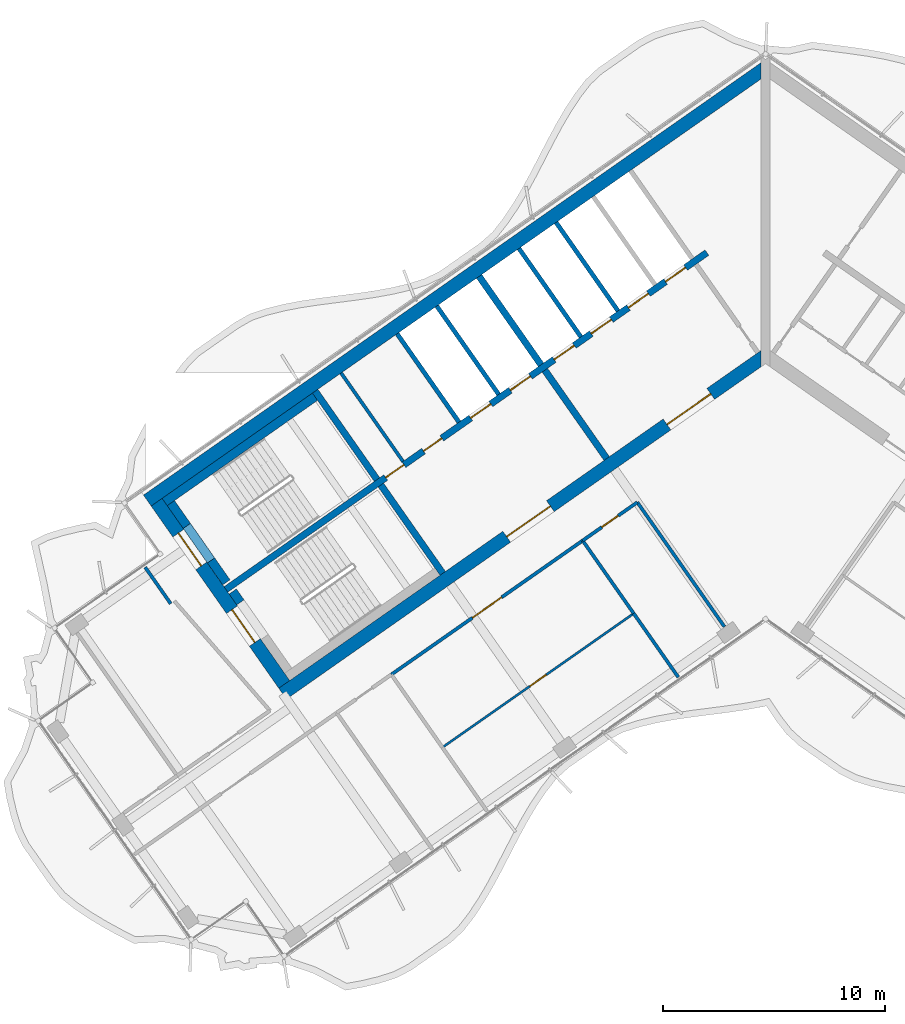
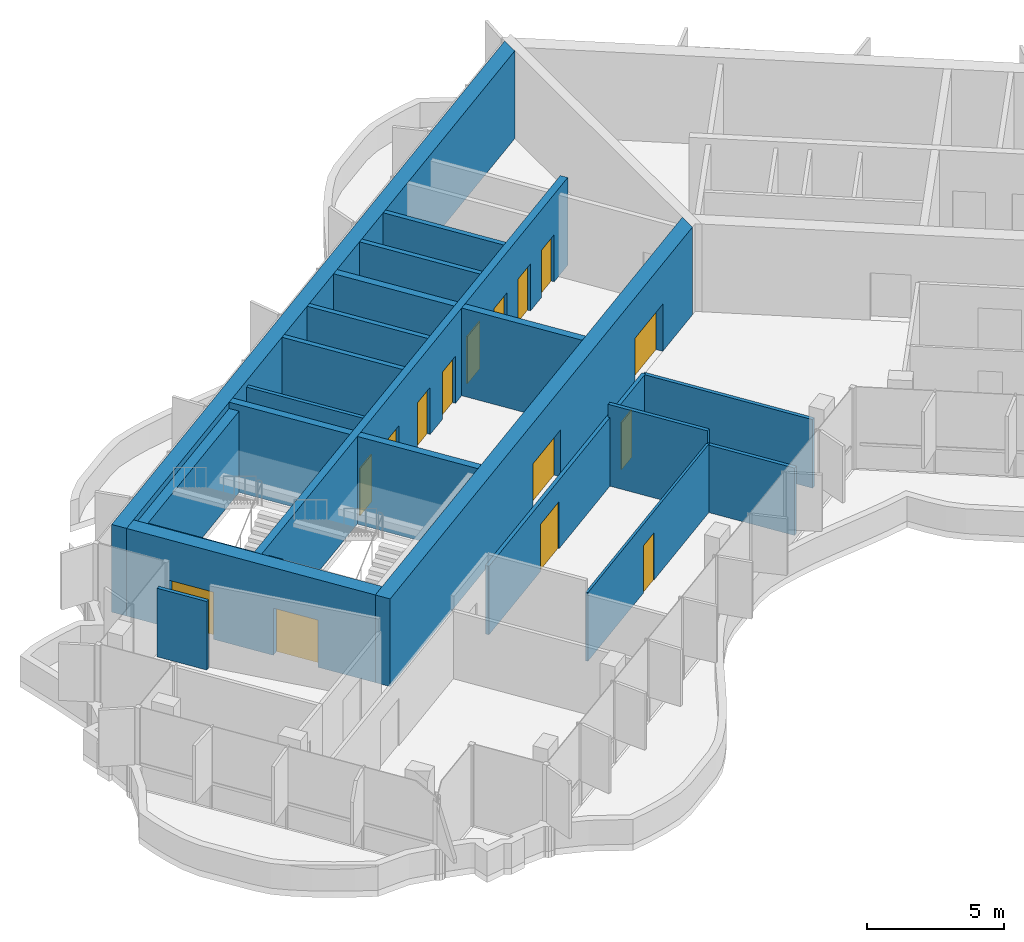
# One storey, part 11 of 20: 25 walls, 15 doors, 15 openings.
"""IFC4 building model written with IfcOpenShell, lengths in metres."""

from ifc_helpers import new_model, si_unit, direction, frame, frame_2d, origin, place, context, subcontext, project, spatial, polyline, rectangle, outline, extrude, material, layer, layer_set, type_object, element, fill, save


model = new_model("IFC4")

# Units and contexts
model_context = context("Model", 3, precision=1e-05, world=origin(), true_north=direction((0.0, 1.0)))
body_context = subcontext(model_context, "Body", "Model", "MODEL_VIEW")
ifc_project = project(units=[si_unit("LENGTHUNIT", "METRE"), si_unit("AREAUNIT", "SQUARE_METRE"), si_unit("VOLUMEUNIT", "CUBIC_METRE"), si_unit("PLANEANGLEUNIT", "RADIAN"), si_unit("MASSUNIT", "GRAM", prefix="KILO")], contexts=[model_context])

# Site, building, storey
site_placement = place(None, origin())
site = spatial("IfcSite", under=ifc_project, at=site_placement, CompositionType="ELEMENT")
building_placement = place(site_placement, origin())
building = spatial("IfcBuilding", under=site, at=building_placement, Name="Tel Ilan Convention Tower", CompositionType="ELEMENT")
storey_placement = place(building_placement, frame((0.0, 0.0, 244.89990234375)))
storey = spatial("IfcBuildingStorey", under=building, at=storey_placement, Name="L57", CompositionType="ELEMENT", Elevation=244.89990234375)

# Walls
ifc_material_1 = material(Name="Gypsum Plasterboard on Steel Stud", Category="steel")
ifc_layer_1 = layer(ifc_material_1, 0.14990234375)
ifc_layer_set_1 = layer_set([ifc_layer_1], Name="Core Room Partition Wall 150 mm EI 60")
wall_type_1 = type_object("IfcWallType", Name="Core Room Partition Wall 150 mm EI 60", PredefinedType="PARTITIONING", material=ifc_layer_set_1)
wall_1_placement = place(storey_placement, frame((-16.302001953125, -5.6162109375, 0.0), z_axis=(0.0, 0.0, 1.0), x_axis=(-0.573560315113, 0.819163332265, 0.0)))
element("IfcWall", 1, at=wall_1_placement, inside=storey, type_object=wall_type_1, Name="L57 core wall bank-W2-split", PredefinedType="PARTITIONING", context=body_context, shape_type="SweptSolid", body=[
    extrude(rectangle(XDim=4.849853515625, YDim=0.14990234375, at=frame_2d((2.4248046875, 0.0))), origin(), (0.0, 0.0, 1.0), 3.6201171875),
])
ifc_material_2 = material(Name="Concrete C40/50", Category="concrete")
ifc_layer_2 = layer(ifc_material_2, 0.300048828125)
ifc_layer_set_2 = layer_set([ifc_layer_2], Name="Core Shear Wall 300 mm C40/50")
wall_type_2 = type_object("IfcWallType", Name="Core Shear Wall 300 mm C40/50", PredefinedType="SHEAR", material=ifc_layer_set_2)
wall_2_placement = place(storey_placement, frame((-7.142822265625, -5.48974609375, 0.0), z_axis=(0.0, 0.0, 1.0), x_axis=(-0.573617744349, 0.819123118565, 0.0)))
element("IfcWall", 2, at=wall_2_placement, inside=storey, type_object=wall_type_2, Name="L57 core wall W-cross1-1", PredefinedType="SHEAR", context=body_context, shape_type="SweptSolid", body=[
    extrude(outline(polyline([(4.85009765625, 0.14990234375), (0.0, 0.150146484375), (0.0, -0.14990234375), (4.85009765625, -0.150146484375), (4.85009765625, 0.14990234375)])), origin(), (0.0, 0.0, 1.0), 3.900146484375),
])
wall_3_placement = place(storey_placement, frame((-10.096923828125, -1.271240234375, 0.0), z_axis=(0.0, 0.0, 1.0), x_axis=(-0.573560315113, 0.819163332265, 0.0)))
element("IfcWall", 3, at=wall_3_placement, inside=storey, type_object=wall_type_2, Name="L57 core wall W-cross1-2", PredefinedType="SHEAR", context=body_context, shape_type="SweptSolid", body=[
    extrude(outline(polyline([(4.849853515625, -0.14990234375), (4.849853515625, 0.150146484375), (0.0, 0.14990234375), (0.0, -0.150146484375), (4.849853515625, -0.14990234375)])), origin(), (0.0, 0.0, 1.0), 3.900146484375),
])
wall_4_placement = place(storey_placement, frame((-14.515380859375, -10.652099609375, 0.0), z_axis=(0.0, 0.0, 1.0), x_axis=(-0.573560315113, 0.819163332265, 0.0)))
element("IfcWall", 4, at=wall_4_placement, inside=storey, type_object=wall_type_2, Name="L57 core wall W-cross2-1", PredefinedType="SHEAR", context=body_context, shape_type="SweptSolid", body=[
    extrude(outline(polyline([(4.85009765625, 0.14990234375), (0.0, 0.14990234375), (0.0, -0.150146484375), (4.85009765625, -0.14990234375), (4.85009765625, 0.14990234375)])), origin(), (0.0, 0.0, 1.0), 3.900146484375),
])
wall_5_placement = place(storey_placement, frame((-17.46923828125, -6.433349609375, 0.0), z_axis=(0.0, 0.0, 1.0), x_axis=(-0.573594092424, 0.81913968109, 0.0)))
element("IfcWall", 5, at=wall_5_placement, inside=storey, type_object=wall_type_2, Name="L57 core wall W-cross2-2", PredefinedType="SHEAR", context=body_context, shape_type="SweptSolid", body=[
    extrude(outline(polyline([(4.849853515625, -0.150146484375), (4.849853515625, 0.14990234375), (0.0, 0.14990234375), (0.0, -0.14990234375), (4.849853515625, -0.150146484375)])), origin(), (0.0, 0.0, 1.0), 3.900146484375),
])

# Wall, openings, doors
wall_6_placement = place(storey_placement, frame((-2.638427734375, 3.76806640625, 0.0), z_axis=(0.0, 0.0, 1.0), x_axis=(-0.819155014212, -0.573572194837, 0.0)))
wall_6 = element("IfcWall", 6, at=wall_6_placement, inside=storey, type_object=wall_type_2, Name="L57 core wall W-spine", PredefinedType="SHEAR", context=body_context, shape_type="SweptSolid", body=[
    extrude(outline(polyline([(26.39990234375, 0.150146484375), (0.0, 0.14990234375), (0.0, -0.150146484375), (26.39990234375, -0.14990234375), (26.39990234375, 0.150146484375)])), origin(), (0.0, 0.0, 1.0), 3.900146484375),
])
opening_1_placement = place(wall_6_placement, frame((1.168701171875, 0.0, 0.0)))
opening_1 = element("IfcOpeningElement", 7, at=opening_1_placement, cuts=wall_6, Name="Opening LD4404", PredefinedType="OPENING", context=body_context, shape_type="SweptSolid", body=[
    extrude(rectangle(XDim=1.10009765625, YDim=2.10009765625, at=frame_2d((0.550048828125, 1.050048828125))), frame((0.0, 0.159912109375, 0.0), z_axis=(0.0, -1.0, 0.0), x_axis=(1.0, 0.0, 0.0)), (0.0, 0.0, 1.0), 0.320068359375),
])
opening_2_placement = place(wall_6_placement, frame((3.206298828125, 0.0, 0.0)))
opening_2 = element("IfcOpeningElement", 8, at=opening_2_placement, cuts=wall_6, Name="Opening LD4405", PredefinedType="OPENING", context=body_context, shape_type="SweptSolid", body=[
    extrude(rectangle(XDim=1.10009765625, YDim=2.10009765625, at=frame_2d((0.550048828125, 1.050048828125))), frame((0.0, 0.159912109375, 0.0), z_axis=(0.0, -1.0, 0.0), x_axis=(1.0, 0.0, 0.0)), (0.0, 0.0, 1.0), 0.320068359375),
])
opening_3_placement = place(wall_6_placement, frame((5.24365234375, 0.0, 0.0)))
opening_3 = element("IfcOpeningElement", 9, at=opening_3_placement, cuts=wall_6, Name="Opening LD4406", PredefinedType="OPENING", context=body_context, shape_type="SweptSolid", body=[
    extrude(rectangle(XDim=1.10009765625, YDim=2.10009765625, at=frame_2d((0.550048828125, 1.050048828125))), frame((0.0, 0.159912109375, 0.0), z_axis=(0.0, -1.0, 0.0), x_axis=(1.0, 0.0, 0.0)), (0.0, 0.0, 1.0), 0.320068359375),
])
opening_4_placement = place(wall_6_placement, frame((7.28125, 0.0, 0.0)))
opening_4 = element("IfcOpeningElement", 10, at=opening_4_placement, cuts=wall_6, Name="Opening LD4407", PredefinedType="OPENING", context=body_context, shape_type="SweptSolid", body=[
    extrude(rectangle(XDim=1.10009765625, YDim=2.10009765625, at=frame_2d((0.550048828125, 1.050048828125))), frame((0.0, 0.159912109375, 0.0), z_axis=(0.0, -1.0, 0.0), x_axis=(1.0, 0.0, 0.0)), (0.0, 0.0, 1.0), 0.320068359375),
])
opening_5_placement = place(wall_6_placement, frame((9.6875, 0.0, 0.0)))
opening_5 = element("IfcOpeningElement", 11, at=opening_5_placement, cuts=wall_6, Name="Opening LD4408", PredefinedType="OPENING", context=body_context, shape_type="SweptSolid", body=[
    extrude(rectangle(XDim=1.10009765625, YDim=2.10009765625, at=frame_2d((0.550048828125, 1.050048828125))), frame((0.0, 0.159912109375, 0.0), z_axis=(0.0, -1.0, 0.0), x_axis=(1.0, 0.0, 0.0)), (0.0, 0.0, 1.0), 0.320068359375),
])
opening_6_placement = place(wall_6_placement, frame((11.862548828125, 0.0, 0.0)))
opening_6 = element("IfcOpeningElement", 12, at=opening_6_placement, cuts=wall_6, Name="Opening LD4409", PredefinedType="OPENING", context=body_context, shape_type="SweptSolid", body=[
    extrude(rectangle(XDim=1.10009765625, YDim=2.10009765625, at=frame_2d((0.550048828125, 1.050048828125))), frame((0.0, 0.159912109375, 0.0), z_axis=(0.0, -1.0, 0.0), x_axis=(1.0, 0.0, 0.0)), (0.0, 0.0, 1.0), 0.320068359375),
])
opening_7_placement = place(wall_6_placement, frame((14.552490234375, 0.0, 0.0)))
opening_7 = element("IfcOpeningElement", 13, at=opening_7_placement, cuts=wall_6, Name="Opening CD4409", PredefinedType="OPENING", context=body_context, shape_type="SweptSolid", body=[
    extrude(rectangle(XDim=1.0, YDim=2.10009765625, at=frame_2d((0.5, 1.050048828125))), frame((0.0, 0.159912109375, 0.0), z_axis=(0.0, -1.0, 0.0), x_axis=(1.0, 0.0, 0.0)), (0.0, 0.0, 1.0), 0.320068359375),
])
opening_8_placement = place(wall_6_placement, frame((16.62744140625, 0.0, 0.0)))
opening_8 = element("IfcOpeningElement", 14, at=opening_8_placement, cuts=wall_6, Name="Opening CD4410", PredefinedType="OPENING", context=body_context, shape_type="SweptSolid", body=[
    extrude(rectangle(XDim=1.0, YDim=2.10009765625, at=frame_2d((0.5, 1.050048828125))), frame((0.0, 0.159912109375, 0.0), z_axis=(0.0, -1.0, 0.0), x_axis=(1.0, 0.0, 0.0)), (0.0, 0.0, 1.0), 0.320068359375),
])
ifc_material_3 = material(Name="Stainless Steel Sliding Door Leaf", Category="steel")
door_type_1 = type_object("IfcDoorType", Name="Lift Landing Door 1100 x 2100 FD120", OperationType="NOTDEFINED", PredefinedType="DOOR", material=ifc_material_3)
door_1_placement = place(opening_1_placement, origin())
door_1 = element("IfcDoor", 15, at=door_1_placement, inside=storey, type_object=door_type_1, Name="Lift HR1 landing door", OperationType="SLIDING_TO_LEFT", OverallHeight=2.10009765625, OverallWidth=1.10009765625, PredefinedType="DOOR", context=body_context, shape_type="SweptSolid", body=[
    extrude(rectangle(XDim=1.10009765625, YDim=2.10009765625, at=frame_2d((0.550048828125, 1.050048828125))), frame((0.0, 0.02490234375, 0.0), z_axis=(0.0, -1.0, 0.0), x_axis=(1.0, 0.0, 0.0)), (0.0, 0.0, 1.0), 0.050048828125),
])
fill(opening_1, door_1)
door_2_placement = place(opening_2_placement, origin())
door_2 = element("IfcDoor", 16, at=door_2_placement, inside=storey, type_object=door_type_1, Name="Lift HR2 landing door", OperationType="SLIDING_TO_RIGHT", OverallHeight=2.10009765625, OverallWidth=1.10009765625, PredefinedType="DOOR", context=body_context, shape_type="SweptSolid", body=[
    extrude(rectangle(XDim=1.10009765625, YDim=2.10009765625, at=frame_2d((0.550048828125, 1.050048828125))), frame((0.0, 0.02490234375, 0.0), z_axis=(0.0, -1.0, 0.0), x_axis=(1.0, 0.0, 0.0)), (0.0, 0.0, 1.0), 0.050048828125),
])
fill(opening_2, door_2)
door_3_placement = place(opening_3_placement, origin())
door_3 = element("IfcDoor", 17, at=door_3_placement, inside=storey, type_object=door_type_1, Name="Lift HR3 landing door", OperationType="SLIDING_TO_LEFT", OverallHeight=2.10009765625, OverallWidth=1.10009765625, PredefinedType="DOOR", context=body_context, shape_type="SweptSolid", body=[
    extrude(rectangle(XDim=1.10009765625, YDim=2.10009765625, at=frame_2d((0.550048828125, 1.050048828125))), frame((0.0, 0.02490234375, 0.0), z_axis=(0.0, -1.0, 0.0), x_axis=(1.0, 0.0, 0.0)), (0.0, 0.0, 1.0), 0.050048828125),
])
fill(opening_3, door_3)
door_4_placement = place(opening_4_placement, origin())
door_4 = element("IfcDoor", 18, at=door_4_placement, inside=storey, type_object=door_type_1, Name="Lift HR4 landing door", OperationType="SLIDING_TO_RIGHT", OverallHeight=2.10009765625, OverallWidth=1.10009765625, PredefinedType="DOOR", context=body_context, shape_type="SweptSolid", body=[
    extrude(rectangle(XDim=1.10009765625, YDim=2.10009765625, at=frame_2d((0.550048828125, 1.050048828125))), frame((0.0, 0.02490234375, 0.0), z_axis=(0.0, -1.0, 0.0), x_axis=(1.0, 0.0, 0.0)), (0.0, 0.0, 1.0), 0.050048828125),
])
fill(opening_4, door_4)
door_5_placement = place(opening_5_placement, origin())
door_5 = element("IfcDoor", 19, at=door_5_placement, inside=storey, type_object=door_type_1, Name="Lift HR5 landing door", OperationType="SLIDING_TO_LEFT", OverallHeight=2.10009765625, OverallWidth=1.10009765625, PredefinedType="DOOR", context=body_context, shape_type="SweptSolid", body=[
    extrude(rectangle(XDim=1.10009765625, YDim=2.10009765625, at=frame_2d((0.550048828125, 1.050048828125))), frame((0.0, 0.02490234375, 0.0), z_axis=(0.0, -1.0, 0.0), x_axis=(1.0, 0.0, 0.0)), (0.0, 0.0, 1.0), 0.050048828125),
])
fill(opening_5, door_5)
door_6_placement = place(opening_6_placement, origin())
door_6 = element("IfcDoor", 20, at=door_6_placement, inside=storey, type_object=door_type_1, Name="Lift HR6 landing door", OperationType="SLIDING_TO_RIGHT", OverallHeight=2.10009765625, OverallWidth=1.10009765625, PredefinedType="DOOR", context=body_context, shape_type="SweptSolid", body=[
    extrude(rectangle(XDim=1.10009765625, YDim=2.10009765625, at=frame_2d((0.550048828125, 1.050048828125))), frame((0.0, 0.02490234375, 0.0), z_axis=(0.0, -1.0, 0.0), x_axis=(1.0, 0.0, 0.0)), (0.0, 0.0, 1.0), 0.050048828125),
])
fill(opening_6, door_6)
ifc_material_4 = material(Name="Galvanised Steel Door Leaf", Category="steel")
door_type_2 = type_object("IfcDoorType", Name="Service Room Door 1000 x 2100 FD60", OperationType="NOTDEFINED", PredefinedType="DOOR", material=ifc_material_4)
door_7_placement = place(opening_7_placement, origin())
door_7 = element("IfcDoor", 21, at=door_7_placement, inside=storey, type_object=door_type_2, Name="Plant Room door", OperationType="SINGLE_SWING_RIGHT", OverallHeight=2.10009765625, OverallWidth=1.0, PredefinedType="DOOR", context=body_context, shape_type="SweptSolid", body=[
    extrude(rectangle(XDim=1.0, YDim=2.10009765625, at=frame_2d((0.5, 1.050048828125))), frame((0.0, 0.02490234375, 0.0), z_axis=(0.0, -1.0, 0.0), x_axis=(1.0, 0.0, 0.0)), (0.0, 0.0, 1.0), 0.050048828125),
])
fill(opening_7, door_7)
door_8_placement = place(opening_8_placement, origin())
door_8 = element("IfcDoor", 22, at=door_8_placement, inside=storey, type_object=door_type_2, Name="Plant Room door", OperationType="SINGLE_SWING_RIGHT", OverallHeight=2.10009765625, OverallWidth=1.0, PredefinedType="DOOR", context=body_context, shape_type="SweptSolid", body=[
    extrude(rectangle(XDim=1.0, YDim=2.10009765625, at=frame_2d((0.5, 1.050048828125))), frame((0.0, 0.02490234375, 0.0), z_axis=(0.0, -1.0, 0.0), x_axis=(1.0, 0.0, 0.0)), (0.0, 0.0, 1.0), 0.050048828125),
])
fill(opening_8, door_8)

# Wall
ifc_material_5 = material(Name="Concrete C40/50", Category="concrete")
ifc_layer_3 = layer(ifc_material_5, 0.60009765625)
ifc_layer_set_3 = layer_set([ifc_layer_3], Name="Core Shear Wall 600 mm C40/50")
wall_type_3 = type_object("IfcWallType", Name="Core Shear Wall 600 mm C40/50", PredefinedType="SHEAR", material=ifc_layer_set_3)
wall_7_placement = place(storey_placement, frame((-0.02783203125, 12.066162109375, 0.0), z_axis=(0.0, 0.0, 1.0), x_axis=(-0.819151382952, -0.573577380837, 0.0)))
element("IfcWall", 23, at=wall_7_placement, inside=storey, type_object=wall_type_3, Name="L57 core wall W-back", PredefinedType="SHEAR", context=body_context, shape_type="SweptSolid", body=[
    extrude(outline(polyline([(33.89794921875, 0.300048828125), (0.420166015625, 0.300048828125), (0.0, -0.300048828125), (33.898193359375, -0.300048828125), (33.89794921875, 0.300048828125)])), origin(), (0.0, 0.0, 1.0), 3.900146484375),
])

# Wall, openings, doors
wall_8_placement = place(storey_placement, frame((-0.02783203125, -0.8740234375, 0.0), z_axis=(0.0, 0.0, 1.0), x_axis=(-0.819150035022, -0.573579305871, 0.0)))
wall_8 = element("IfcWall", 24, at=wall_8_placement, inside=storey, type_object=wall_type_3, Name="L57 core wall W-front", PredefinedType="SHEAR", context=body_context, shape_type="SweptSolid", body=[
    extrude(outline(polyline([(26.475830078125, 0.2998046875), (0.420166015625, 0.300048828125), (0.000244140625, -0.300048828125), (26.475830078125, -0.300048828125), (26.475830078125, 0.2998046875)])), origin(), (0.0, 0.0, 1.0), 3.900146484375),
])
opening_9_placement = place(wall_8_placement, frame((2.975830078125, 0.0, 0.0)))
opening_9 = element("IfcOpeningElement", 25, at=opening_9_placement, cuts=wall_8, Name="Opening CD4406", PredefinedType="OPENING", context=body_context, shape_type="SweptSolid", body=[
    extrude(rectangle(XDim=2.39990234375, YDim=2.10009765625, at=frame_2d((1.199951171875, 1.050048828125))), frame((0.0, 0.31005859375, 0.0), z_axis=(0.0, -1.0, 0.0), x_axis=(1.0, 0.0, 0.0)), (0.0, 0.0, 1.0), 0.6201171875),
])
opening_10_placement = place(wall_8_placement, frame((11.77587890625, 0.0, 0.0)))
opening_10 = element("IfcOpeningElement", 26, at=opening_10_placement, cuts=wall_8, Name="Opening CD4407", PredefinedType="OPENING", context=body_context, shape_type="SweptSolid", body=[
    extrude(rectangle(XDim=2.39990234375, YDim=2.10009765625, at=frame_2d((1.199951171875, 1.050048828125))), frame((0.0, 0.31005859375, 0.0), z_axis=(0.0, -1.0, 0.0), x_axis=(1.0, 0.0, 0.0)), (0.0, 0.0, 1.0), 0.6201171875),
])
ifc_material_6 = material(Name="Glazed Aluminium Door Leaf", Category="aluminium")
door_type_3 = type_object("IfcDoorType", Name="Lobby Opening Door 2400 x 2100 FD60S", OperationType="NOTDEFINED", PredefinedType="DOOR", material=ifc_material_6)
door_9_placement = place(opening_9_placement, origin())
door_9 = element("IfcDoor", 27, at=door_9_placement, inside=storey, type_object=door_type_3, Name="Lift Lobby HR1-HR4 opening", OperationType="DOUBLE_DOOR_SINGLE_SWING", OverallHeight=2.10009765625, OverallWidth=2.39990234375, PredefinedType="DOOR", context=body_context, shape_type="SweptSolid", body=[
    extrude(rectangle(XDim=2.39990234375, YDim=2.10009765625, at=frame_2d((1.199951171875, 1.050048828125))), frame((0.0, 0.02490234375, 0.0), z_axis=(0.0, -1.0, 0.0), x_axis=(1.0, 0.0, 0.0)), (0.0, 0.0, 1.0), 0.050048828125),
])
fill(opening_9, door_9)
door_10_placement = place(opening_10_placement, origin())
door_10 = element("IfcDoor", 28, at=door_10_placement, inside=storey, type_object=door_type_3, Name="Lift Lobby HR5-HR6 opening", OperationType="DOUBLE_DOOR_SINGLE_SWING", OverallHeight=2.10009765625, OverallWidth=2.39990234375, PredefinedType="DOOR", context=body_context, shape_type="SweptSolid", body=[
    extrude(rectangle(XDim=2.39990234375, YDim=2.10009765625, at=frame_2d((1.199951171875, 1.050048828125))), frame((0.0, 0.02490234375, 0.0), z_axis=(0.0, -1.0, 0.0), x_axis=(1.0, 0.0, 0.0)), (0.0, 0.0, 1.0), 0.050048828125),
])
fill(opening_10, door_10)

wall_9_placement = place(storey_placement, frame((-21.641845703125, -15.64208984375, 0.0), z_axis=(0.0, 0.0, 1.0), x_axis=(-0.573586866468, 0.819144740944, 0.0)))
wall_9 = element("IfcWall", 29, at=wall_9_placement, inside=storey, type_object=wall_type_3, Name="L57 core wall W-end", PredefinedType="SHEAR", context=body_context, shape_type="SweptSolid", body=[
    extrude(outline(polyline([(0.0, 0.300048828125), (0.0, -0.2998046875), (10.0, -0.300048828125), (10.0, 0.300048828125), (0.0, 0.300048828125)])), origin(), (0.0, 0.0, 1.0), 3.900146484375),
])
opening_11_placement = place(wall_9_placement, frame((6.5, 0.0, 0.0)))
opening_11 = element("IfcOpeningElement", 30, at=opening_11_placement, cuts=wall_9, Name="Opening SD4401", PredefinedType="OPENING", context=body_context, shape_type="SweptSolid", body=[
    extrude(rectangle(XDim=1.800048828125, YDim=2.10009765625, at=frame_2d((0.89990234375, 1.050048828125))), frame((0.0, 0.31005859375, 0.0), z_axis=(0.0, -1.0, 0.0), x_axis=(1.0, 0.0, 0.0)), (0.0, 0.0, 1.0), 0.6201171875),
])
opening_12_placement = place(wall_9_placement, frame((2.300048828125, 0.0, 0.0)))
opening_12 = element("IfcOpeningElement", 31, at=opening_12_placement, cuts=wall_9, Name="Opening SD4402", PredefinedType="OPENING", context=body_context, shape_type="SweptSolid", body=[
    extrude(rectangle(XDim=1.800048828125, YDim=2.10009765625, at=frame_2d((0.89990234375, 1.050048828125))), frame((0.0, 0.31005859375, 0.0), z_axis=(0.0, -1.0, 0.0), x_axis=(1.0, 0.0, 0.0)), (0.0, 0.0, 1.0), 0.6201171875),
])
ifc_material_7 = material(Name="Galvanised Steel Door Leaf", Category="steel")
door_type_4 = type_object("IfcDoorType", Name="Stair Fire Door 1800 x 2100 FD60S", OperationType="NOTDEFINED", PredefinedType="DOOR", material=ifc_material_7)
door_11_placement = place(opening_11_placement, origin())
door_11 = element("IfcDoor", 32, at=door_11_placement, inside=storey, type_object=door_type_4, Name="Stair S1 door", OperationType="DOUBLE_DOOR_SINGLE_SWING", OverallHeight=2.10009765625, OverallWidth=1.800048828125, PredefinedType="DOOR", context=body_context, shape_type="SweptSolid", body=[
    extrude(rectangle(XDim=1.800048828125, YDim=2.10009765625, at=frame_2d((0.89990234375, 1.050048828125))), frame((0.0, 0.02490234375, 0.0), z_axis=(0.0, -1.0, 0.0), x_axis=(1.0, 0.0, 0.0)), (0.0, 0.0, 1.0), 0.050048828125),
])
fill(opening_11, door_11)
door_12_placement = place(opening_12_placement, origin())
door_12 = element("IfcDoor", 33, at=door_12_placement, inside=storey, type_object=door_type_4, Name="Stair S2 door", OperationType="DOUBLE_DOOR_SINGLE_SWING", OverallHeight=2.10009765625, OverallWidth=1.800048828125, PredefinedType="DOOR", context=body_context, shape_type="SweptSolid", body=[
    extrude(rectangle(XDim=1.800048828125, YDim=2.10009765625, at=frame_2d((0.89990234375, 1.050048828125))), frame((0.0, 0.02490234375, 0.0), z_axis=(0.0, -1.0, 0.0), x_axis=(1.0, 0.0, 0.0)), (0.0, 0.0, 1.0), 0.050048828125),
])
fill(opening_12, door_12)

# Wall, opening, door
ifc_material_8 = material(Name="Plasterboard on Steel Studs", Category="steel")
ifc_layer_4 = layer(ifc_material_8, 0.14990234375)
ifc_layer_set_4 = layer_set([ifc_layer_4], Name="Fire-rated Partition 150 EI 60")
wall_type_4 = type_object("IfcWallType", Name="Fire-rated Partition 150 EI 60", PredefinedType="PARTITIONING", material=ifc_layer_set_4)
wall_10_placement = place(storey_placement, frame((-5.766357421875, -7.455810546875, 0.0), z_axis=(0.0, 0.0, 1.0), x_axis=(-0.81915932427, -0.57356603932, 0.0)))
wall_10 = element("IfcWall", 34, at=wall_10_placement, inside=storey, type_object=wall_type_4, Name="Partition 008", PredefinedType="PARTITIONING", context=body_context, shape_type="SweptSolid", body=[
    extrude(rectangle(XDim=3.002197265625, YDim=0.14990234375, at=frame_2d((1.5009765625, 0.0))), origin(), (0.0, 0.0, 1.0), 3.050048828125),
])
opening_13_placement = place(wall_10_placement, frame((1.051025390625, 0.0, 0.0)))
opening_13 = element("IfcOpeningElement", 35, at=opening_13_placement, cuts=wall_10, Name="Opening L57-001", PredefinedType="OPENING", context=body_context, shape_type="SweptSolid", body=[
    extrude(rectangle(XDim=0.89990234375, YDim=2.10009765625, at=frame_2d((0.449951171875, 1.050048828125))), frame((0.0, 0.0849609375, 0.0), z_axis=(0.0, -1.0, 0.0), x_axis=(1.0, 0.0, 0.0)), (0.0, 0.0, 1.0), 0.169921875),
])
ifc_material_9 = material(Name="Timber Door Leaf in Steel Frame", Category="steel")
door_type_5 = type_object("IfcDoorType", Name="Room Fire Door 900x2100", OperationType="NOTDEFINED", PredefinedType="DOOR", material=ifc_material_9)
door_13_placement = place(opening_13_placement, origin())
door_13 = element("IfcDoor", 36, at=door_13_placement, inside=storey, type_object=door_type_5, Name="Door L57-001", OperationType="SINGLE_SWING_RIGHT", OverallHeight=2.10009765625, OverallWidth=0.89990234375, PredefinedType="DOOR", context=body_context, shape_type="SweptSolid", body=[
    extrude(rectangle(XDim=0.89990234375, YDim=2.10009765625, at=frame_2d((0.449951171875, 1.050048828125))), frame((0.0, 0.02490234375, 0.0), z_axis=(0.0, -1.0, 0.0), x_axis=(1.0, 0.0, 0.0)), (0.0, 0.0, 1.0), 0.050048828125),
])
fill(opening_13, door_13)

wall_11_placement = place(storey_placement, frame((-8.22216796875, -9.17529296875, 0.0), z_axis=(0.0, 0.0, 1.0), x_axis=(-0.81915329441, -0.573574650989, 0.0)))
wall_11 = element("IfcWall", 37, at=wall_11_placement, inside=storey, type_object=wall_type_4, Name="Partition 009", PredefinedType="PARTITIONING", context=body_context, shape_type="SweptSolid", body=[
    extrude(rectangle(XDim=10.504150390625, YDim=0.14990234375, at=frame_2d((5.251953125, 0.0))), origin(), (0.0, 0.0, 1.0), 3.050048828125),
])
opening_14_placement = place(wall_11_placement, frame((4.451904296875, 0.0, 0.0)))
opening_14 = element("IfcOpeningElement", 38, at=opening_14_placement, cuts=wall_11, Name="Opening L57-002", PredefinedType="OPENING", context=body_context, shape_type="SweptSolid", body=[
    extrude(rectangle(XDim=1.60009765625, YDim=2.10009765625, at=frame_2d((0.800048828125, 1.050048828125))), frame((0.0, 0.0849609375, 0.0), z_axis=(0.0, -1.0, 0.0), x_axis=(1.0, 0.0, 0.0)), (0.0, 0.0, 1.0), 0.169921875),
])
ifc_material_10 = material(Name="Timber Door Leaf in Steel Frame", Category="steel")
door_type_6 = type_object("IfcDoorType", Name="Tenant Suite Entrance Fire Door 1600x2100", OperationType="NOTDEFINED", PredefinedType="DOOR", material=ifc_material_10)
door_14_placement = place(opening_14_placement, origin())
door_14 = element("IfcDoor", 39, at=door_14_placement, inside=storey, type_object=door_type_6, Name="Door L57-002", OperationType="DOUBLE_DOOR_SINGLE_SWING", OverallHeight=2.10009765625, OverallWidth=1.60009765625, PredefinedType="DOOR", context=body_context, shape_type="SweptSolid", body=[
    extrude(rectangle(XDim=1.60009765625, YDim=2.10009765625, at=frame_2d((0.800048828125, 1.050048828125))), frame((0.0, 0.02490234375, 0.0), z_axis=(0.0, -1.0, 0.0), x_axis=(1.0, 0.0, 0.0)), (0.0, 0.0, 1.0), 0.050048828125),
])
fill(opening_14, door_14)

# Walls
wall_12_placement = place(storey_placement, frame((-1.848876953125, -13.050537109375, 0.0), z_axis=(0.0, 0.0, 1.0), x_axis=(-0.57357985571, 0.819149650018, 0.0)))
element("IfcWall", 40, at=wall_12_placement, inside=storey, type_object=wall_type_4, Name="Partition 029", PredefinedType="PARTITIONING", context=body_context, shape_type="SweptSolid", body=[
    extrude(rectangle(XDim=6.83203125, YDim=0.14990234375, at=frame_2d((3.416015625, 0.0))), origin(), (0.0, 0.0, 1.0), 3.050048828125),
])
wall_13_placement = place(storey_placement, frame((-26.74609375, -12.013671875, 0.0), z_axis=(0.0, 0.0, 1.0), x_axis=(-0.573568836472, 0.819157365729, 0.0)))
element("IfcWall", 41, at=wall_13_placement, inside=storey, type_object=wall_type_4, Name="Partition 030", PredefinedType="PARTITIONING", context=body_context, shape_type="SweptSolid", body=[
    extrude(rectangle(XDim=2.000244140625, YDim=0.14990234375, at=frame_2d((1.0, 0.0))), origin(), (0.0, 0.0, 1.0), 3.050048828125),
])
wall_14_placement = place(storey_placement, frame((-3.922119140625, -15.3203125, 0.0), z_axis=(0.0, 0.0, 1.0), x_axis=(-0.573560622794, 0.819163116834, 0.0)))
element("IfcWall", 42, at=wall_14_placement, inside=storey, type_object=wall_type_4, Name="Partition 033", PredefinedType="PARTITIONING", context=body_context, shape_type="SweptSolid", body=[
    extrude(rectangle(XDim=3.5009765625, YDim=0.14990234375, at=frame_2d((1.75048828125, 0.0))), origin(), (0.0, 0.0, 1.0), 3.0),
])
wall_15_placement = place(storey_placement, frame((-5.928466796875, -12.454833984375, 0.0), z_axis=(0.0, 0.0, 1.0), x_axis=(-0.573560601885, 0.819163131473, 0.0)))
element("IfcWall", 43, at=wall_15_placement, inside=storey, type_object=wall_type_4, Name="Partition 034", PredefinedType="PARTITIONING", context=body_context, shape_type="SweptSolid", body=[
    extrude(rectangle(XDim=4.001953125, YDim=0.14990234375, at=frame_2d((2.0009765625, 0.0))), origin(), (0.0, 0.0, 1.0), 3.6201171875),
])
ifc_material_11 = material(Name="Concrete C30/37", Category="concrete")
ifc_layer_5 = layer(ifc_material_11, 0.199951171875)
ifc_layer_set_5 = layer_set([ifc_layer_5], Name="Lift Shaft Wall 200 mm C30/37")
wall_type_5 = type_object("IfcWallType", Name="Lift Shaft Wall 200 mm C30/37", PredefinedType="SOLIDWALL", material=ifc_layer_set_5)
wall_16_placement = place(storey_placement, frame((-6.635986328125, 1.152099609375, 0.0), z_axis=(0.0, 0.0, 1.0), x_axis=(-0.573560315113, 0.819163332265, 0.0)))
element("IfcWall", 44, at=wall_16_placement, inside=storey, type_object=wall_type_5, Name="L57 core wall bank-W1-p1", PredefinedType="SOLIDWALL", context=body_context, shape_type="SweptSolid", body=[
    extrude(rectangle(XDim=4.849853515625, YDim=0.199951171875, at=frame_2d((2.4248046875, 0.0))), origin(), (0.0, 0.0, 1.0), 3.900146484375),
])
wall_17_placement = place(storey_placement, frame((-8.304931640625, -0.0166015625, 0.0), z_axis=(0.0, 0.0, 1.0), x_axis=(-0.573594092424, 0.81913968109, 0.0)))
element("IfcWall", 45, at=wall_17_placement, inside=storey, type_object=wall_type_5, Name="L57 core wall bank-W1-p2", PredefinedType="SOLIDWALL", context=body_context, shape_type="SweptSolid", body=[
    extrude(rectangle(XDim=4.85009765625, YDim=0.199951171875, at=frame_2d((2.425048828125, 0.0))), origin(), (0.0, 0.0, 1.0), 3.900146484375),
])
wall_18_placement = place(storey_placement, frame((-12.00146484375, -2.604736328125, 0.0), z_axis=(0.0, 0.0, 1.0), x_axis=(-0.573560315113, 0.819163332265, 0.0)))
element("IfcWall", 46, at=wall_18_placement, inside=storey, type_object=wall_type_5, Name="L57 core wall bank-W2-p0", PredefinedType="SOLIDWALL", context=body_context, shape_type="SweptSolid", body=[
    extrude(rectangle(XDim=4.849853515625, YDim=0.199951171875, at=frame_2d((2.4248046875, 0.0))), origin(), (0.0, 0.0, 1.0), 3.900146484375),
])
wall_19_placement = place(storey_placement, frame((-13.782958984375, -3.852294921875, 0.0), z_axis=(0.0, 0.0, 1.0), x_axis=(-0.573594092424, 0.81913968109, 0.0)))
element("IfcWall", 47, at=wall_19_placement, inside=storey, type_object=wall_type_5, Name="L57 core wall bank-W2-p1", PredefinedType="SOLIDWALL", context=body_context, shape_type="SweptSolid", body=[
    extrude(rectangle(XDim=4.85009765625, YDim=0.199951171875, at=frame_2d((2.425048828125, 0.0))), origin(), (0.0, 0.0, 1.0), 3.900146484375),
])

# Wall, opening, door
ifc_material_12 = material(Name="Plasterboard on Steel Studs", Category="steel")
ifc_layer_6 = layer(ifc_material_12, 0.10009765625)
ifc_layer_set_6 = layer_set([ifc_layer_6], Name="Plasterboard Partition 100")
wall_type_6 = type_object("IfcWallType", Name="Plasterboard Partition 100", PredefinedType="PARTITIONING", material=ifc_layer_set_6)
wall_20_placement = place(storey_placement, frame((-5.928955078125, -12.4541015625, 0.0), z_axis=(0.0, 0.0, 1.0), x_axis=(-0.819155448096, -0.573571575181, 0.0)))
wall_20 = element("IfcWall", 48, at=wall_20_placement, inside=storey, type_object=wall_type_6, Name="Partition 035", PredefinedType="PARTITIONING", context=body_context, shape_type="SweptSolid", body=[
    extrude(rectangle(XDim=10.5, YDim=0.10009765625, at=frame_2d((5.25, 0.0))), origin(), (0.0, 0.0, 1.0), 3.050048828125),
])
opening_15_placement = place(wall_20_placement, frame((4.800048828125, 0.0, 0.0)))
opening_15 = element("IfcOpeningElement", 49, at=opening_15_placement, cuts=wall_20, Name="Opening L57-003", PredefinedType="OPENING", context=body_context, shape_type="SweptSolid", body=[
    extrude(rectangle(XDim=0.89990234375, YDim=2.10009765625, at=frame_2d((0.449951171875, 1.050048828125))), frame((0.0, 0.06005859375, 0.0), z_axis=(0.0, -1.0, 0.0), x_axis=(1.0, 0.0, 0.0)), (0.0, 0.0, 1.0), 0.1201171875),
])
ifc_material_13 = material(Name="Timber Door Leaf in Steel Frame", Category="steel")
door_type_7 = type_object("IfcDoorType", Name="Room Timber Door 900x2100", OperationType="NOTDEFINED", PredefinedType="DOOR", material=ifc_material_13)
door_15_placement = place(opening_15_placement, origin())
door_15 = element("IfcDoor", 50, at=door_15_placement, inside=storey, type_object=door_type_7, Name="Door L57-003", OperationType="SINGLE_SWING_RIGHT", OverallHeight=2.10009765625, OverallWidth=0.89990234375, PredefinedType="DOOR", context=body_context, shape_type="SweptSolid", body=[
    extrude(rectangle(XDim=0.89990234375, YDim=2.10009765625, at=frame_2d((0.449951171875, 1.050048828125))), frame((0.0, 0.02490234375, 0.0), z_axis=(0.0, -1.0, 0.0), x_axis=(1.0, 0.0, 0.0)), (0.0, 0.0, 1.0), 0.050048828125),
])
fill(opening_15, door_15)

# Walls
ifc_material_14 = material(Name="Concrete C30/37", Category="concrete")
ifc_layer_7 = layer(ifc_material_14, 0.39990234375)
ifc_layer_set_7 = layer_set([ifc_layer_7], Name="Stair and Shaft Lining Wall 400 mm C30/37")
wall_type_7 = type_object("IfcWallType", Name="Stair and Shaft Lining Wall 400 mm C30/37", PredefinedType="SOLIDWALL", material=ifc_layer_set_7)
wall_21_placement = place(storey_placement, frame((-20.25927734375, -2.71044921875, 0.0), z_axis=(0.0, 0.0, 1.0), x_axis=(-0.81914849389, -0.573581506813, 0.0)))
element("IfcWall", 51, at=wall_21_placement, inside=storey, type_object=wall_type_7, Name="L57 core wall lining-S1-t1", PredefinedType="SOLIDWALL", context=body_context, shape_type="SweptSolid", body=[
    extrude(rectangle(XDim=8.249755859375, YDim=0.39990234375, at=frame_2d((4.125, 0.0))), origin(), (0.0, 0.0, 1.0), 3.6201171875),
])
wall_22_placement = place(storey_placement, frame((-24.24365234375, -11.0546875, 0.0), z_axis=(0.0, 0.0, 1.0), x_axis=(-0.573571582932, 0.819155442668, 0.0)))
element("IfcWall", 52, at=wall_22_placement, inside=storey, type_object=wall_type_7, Name="L57 core wall lining-S1-u1-0", PredefinedType="SOLIDWALL", context=body_context, shape_type="SweptSolid", body=[
    extrude(rectangle(XDim=1.199951171875, YDim=0.39990234375, at=frame_2d((0.60009765625, 0.0))), origin(), (0.0, 0.0, 1.0), 3.6201171875),
])
wall_23_placement = place(storey_placement, frame((-26.021728515625, -8.515380859375, 0.0), z_axis=(0.0, 0.0, 1.0), x_axis=(-0.573619628835, 0.819121798889, 0.0)))
element("IfcWall", 53, at=wall_23_placement, inside=storey, type_object=wall_type_7, Name="L57 core wall lining-S1-u1-1", PredefinedType="SOLIDWALL", context=body_context, shape_type="SweptSolid", body=[
    extrude(rectangle(XDim=1.25, YDim=0.39990234375, at=frame_2d((0.625, 0.0))), origin(), (0.0, 0.0, 1.0), 3.6201171875),
])
wall_24_placement = place(storey_placement, frame((-24.931884765625, -10.07177734375, 2.150146484375), z_axis=(0.0, 0.0, 1.0), x_axis=(-0.573591692345, 0.819141361715, 0.0)))
element("IfcWall", 54, at=wall_24_placement, inside=storey, type_object=wall_type_7, Name="L57 core wall lining-S1-u1-lintel", PredefinedType="SOLIDWALL", context=body_context, shape_type="SweptSolid", body=[
    extrude(rectangle(XDim=1.900146484375, YDim=0.39990234375, at=frame_2d((0.9501953125, 0.0))), origin(), (0.0, 0.0, 1.0), 1.469970703125),
])
wall_25_placement = place(storey_placement, frame((-23.61279296875, -11.955810546875, 0.0), z_axis=(0.0, 0.0, 1.0), x_axis=(-0.573435029941, 0.819251039936, 0.0)))
element("IfcWall", 55, at=wall_25_placement, inside=storey, type_object=wall_type_7, Name="L57 core wall lining-S2-u1-1", PredefinedType="SOLIDWALL", context=body_context, shape_type="SweptSolid", body=[
    extrude(rectangle(XDim=0.599853515625, YDim=0.39990234375, at=frame_2d((0.2998046875, 0.0))), origin(), (0.0, 0.0, 1.0), 3.6201171875),
])

save(model, "model.ifc")
